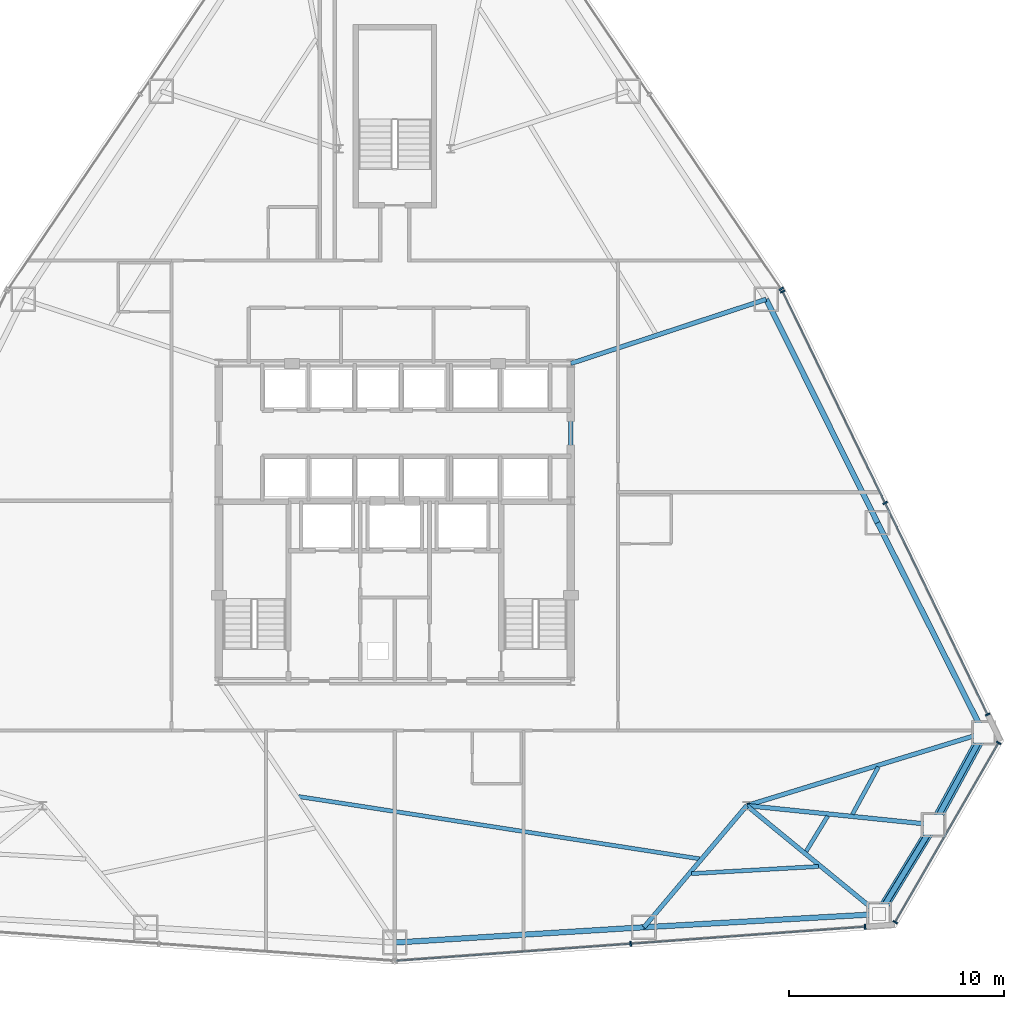
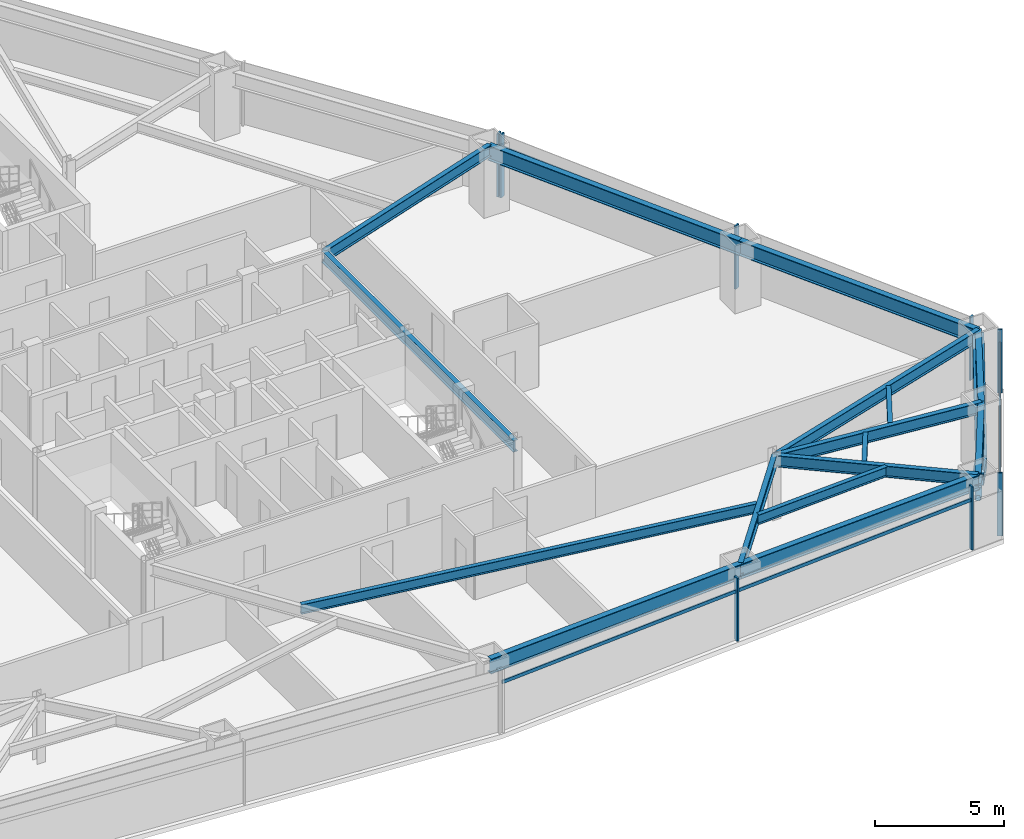
# One storey, part 6 of 12: 16 beams, 14 members, 4 elements without a shape of their own.
"""IFC4 building model written with IfcOpenShell, lengths in metres."""

from ifc_helpers import new_model, si_unit, direction, frame, origin, origin_2d, place, context, subcontext, project, spatial, rectangle, hollow_rectangle, hollow_circle, i_section, extrude, source, transform, mapped, material, layer, layer_set, material_profile, profile_set, type_object, type_shapes, element, aggregate, save


model = new_model("IFC4")

# Units and contexts
model_context = context("Model", 3, precision=1e-05, world=origin(), true_north=direction((0.0, 1.0)))
body_context = subcontext(model_context, "Body", "Model", "MODEL_VIEW")
ifc_project = project(units=[si_unit("LENGTHUNIT", "METRE"), si_unit("AREAUNIT", "SQUARE_METRE"), si_unit("VOLUMEUNIT", "CUBIC_METRE"), si_unit("PLANEANGLEUNIT", "RADIAN"), si_unit("MASSUNIT", "GRAM", prefix="KILO")], contexts=[model_context])

# Site, building, storey
site_placement = place(None, origin())
site = spatial("IfcSite", under=ifc_project, at=site_placement, CompositionType="ELEMENT")
building_placement = place(site_placement, origin())
building = spatial("IfcBuilding", under=site, at=building_placement, Name="Varakhsha Concourse Tower", CompositionType="ELEMENT")
storey_placement = place(building_placement, frame((0.0, 0.0, 56.0)))
storey = spatial("IfcBuildingStorey", under=building, at=storey_placement, Name="L15", CompositionType="ELEMENT", Elevation=56.0)

# Beams
ifc_material_1 = material(Name="Structural Steel ASTM A992 Grade 50", Category="steel")
ifc_material_profile_1 = material_profile(ifc_material_1, i_section(OverallWidth=0.19091796875, OverallDepth=0.45703125, WebThickness=0.009033203125, FlangeThickness=0.013916015625, at=origin_2d()), Name="W18X50")
ifc_profile_set_1 = profile_set([ifc_material_profile_1], Name="Structural Steel ASTM A992 Grade 50")
beam_type_1 = type_object("IfcBeamType", Name="BM-JST-W18X50", PredefinedType="JOIST", material=ifc_profile_set_1)
beam_1_placement = place(storey_placement, frame((35.5166015625, 11.022705078125, 2.75146484375), z_axis=(0.988142278735, -0.153540994446, 0.0), x_axis=(0.153540994446, 0.988142278735, 0.0)))
element("IfcBeam", 1, at=beam_1_placement, inside=storey, type_object=beam_type_1, Name="BM-TJST-L15-11", PredefinedType="JOIST", context=body_context, shape_type="SweptSolid", body=[
    extrude(i_section(OverallWidth=0.19091796875, OverallDepth=0.45703125, WebThickness=0.009033203125, FlangeThickness=0.013916015625, at=origin_2d()), origin(), (0.0, 0.0, 1.0), 18.889892578125),
])
beam_2_placement = place(storey_placement, frame((53.826171875, 7.43115234375, 2.75146484375), z_axis=(0.998430668569, 0.056001786231, 0.0), x_axis=(-0.056001786231, 0.998430668569, 0.0)))
element("IfcBeam", 2, at=beam_2_placement, inside=storey, type_object=beam_type_1, Name="BM-TJST-L15-12", PredefinedType="JOIST", context=body_context, shape_type="SweptSolid", body=[
    extrude(i_section(OverallWidth=0.19091796875, OverallDepth=0.45703125, WebThickness=0.009033203125, FlangeThickness=0.013916015625, at=origin_2d()), origin(), (0.0, 0.0, 1.0), 5.924560546875),
])
beam_3_placement = place(storey_placement, frame((59.1689453125, 8.4697265625, 2.75146484375), z_axis=(0.520803562665, 0.853676548299, 0.0), x_axis=(-0.853676548299, 0.520803562665, 0.0)))
element("IfcBeam", 3, at=beam_3_placement, inside=storey, type_object=beam_type_1, Name="BM-TJST-L15-13", PredefinedType="JOIST", context=body_context, shape_type="SweptSolid", body=[
    extrude(i_section(OverallWidth=0.19091796875, OverallDepth=0.45703125, WebThickness=0.009033203125, FlangeThickness=0.013916015625, at=origin_2d()), origin(), (0.0, 0.0, 1.0), 1.92529296875),
])
beam_4_placement = place(storey_placement, frame((61.325927734375, 10.196533203125, 2.75146484375), z_axis=(0.478940703394, 0.877847254728, 0.0), x_axis=(-0.877847254728, 0.478940703394, 0.0)))
element("IfcBeam", 4, at=beam_4_placement, inside=storey, type_object=beam_type_1, Name="BM-TJST-L15-14", PredefinedType="JOIST", context=body_context, shape_type="SweptSolid", body=[
    extrude(i_section(OverallWidth=0.19091796875, OverallDepth=0.45703125, WebThickness=0.009033203125, FlangeThickness=0.013916015625, at=origin_2d()), origin(), (0.0, 0.0, 1.0), 2.510498046875),
])
ifc_material_profile_2 = material_profile(ifc_material_1, i_section(OverallWidth=0.2109375, OverallDepth=0.5390625, WebThickness=0.011962890625, FlangeThickness=0.01904296875, at=origin_2d()), Name="W21X73")
ifc_profile_set_2 = profile_set([ifc_material_profile_2], Name="Structural Steel ASTM A992 Grade 50")
beam_type_2 = type_object("IfcBeamType", Name="BM-RAD-W21X73", PredefinedType="BEAM", material=ifc_profile_set_2)
beam_5_placement = place(storey_placement, frame((48.199951171875, 16.39990234375, 2.71044921875), z_axis=(0.0, 1.0, 0.0), x_axis=(-1.0, 0.0, 0.0)))
element("IfcBeam", 5, at=beam_5_placement, inside=storey, type_object=beam_type_2, Name="BM-TCORE-L15-CE", PredefinedType="BEAM", context=body_context, shape_type="SweptSolid", body=[
    extrude(i_section(OverallWidth=0.2109375, OverallDepth=0.5390625, WebThickness=0.011962890625, FlangeThickness=0.01904296875, at=origin_2d()), origin(), (0.0, 0.0, 1.0), 14.800048828125),
])
beam_6_placement = place(storey_placement, frame((56.39990234375, 10.60009765625, 2.71044921875), z_axis=(-0.645535260448, -0.763730467848, 0.0), x_axis=(0.763730467848, -0.645535260448, 0.0)))
element("IfcBeam", 6, at=beam_6_placement, inside=storey, type_object=beam_type_2, Name="L15 Radial Floor Girder 12", PredefinedType="BEAM", context=body_context, shape_type="SweptSolid", body=[
    extrude(i_section(OverallWidth=0.2109375, OverallDepth=0.5390625, WebThickness=0.011962890625, FlangeThickness=0.01904296875, at=origin_2d()), origin(), (0.0, 0.0, 1.0), 7.423583984375),
])
beam_7_placement = place(storey_placement, frame((56.39990234375, 10.60009765625, 2.71044921875), z_axis=(0.773178879733, -0.634188000466, 0.0), x_axis=(0.634188000466, 0.773178879733, 0.0)))
element("IfcBeam", 7, at=beam_7_placement, inside=storey, type_object=beam_type_2, Name="L15 Radial Floor Girder 13", PredefinedType="BEAM", context=body_context, shape_type="SweptSolid", body=[
    extrude(i_section(OverallWidth=0.2109375, OverallDepth=0.5390625, WebThickness=0.011962890625, FlangeThickness=0.01904296875, at=origin_2d()), origin(), (0.0, 0.0, 1.0), 7.97119140625),
])
beam_8_placement = place(storey_placement, frame((56.39990234375, 10.60009765625, 2.71044921875), z_axis=(0.994778315071, -0.102059315422, 0.0), x_axis=(0.102059315422, 0.994778315071, 0.0)))
element("IfcBeam", 8, at=beam_8_placement, inside=storey, type_object=beam_type_2, Name="L15 Radial Floor Girder 14", PredefinedType="BEAM", context=body_context, shape_type="SweptSolid", body=[
    extrude(i_section(OverallWidth=0.2109375, OverallDepth=0.5390625, WebThickness=0.011962890625, FlangeThickness=0.01904296875, at=origin_2d()), origin(), (0.0, 0.0, 1.0), 8.748046875),
])
beam_9_placement = place(storey_placement, frame((56.39990234375, 10.60009765625, 2.71044921875), z_axis=(0.955989537432, 0.293400757191, 0.0), x_axis=(-0.293400757191, 0.955989537432, 0.0)))
element("IfcBeam", 9, at=beam_9_placement, inside=storey, type_object=beam_type_2, Name="L15 Radial Floor Girder 15", PredefinedType="BEAM", context=body_context, shape_type="SweptSolid", body=[
    extrude(i_section(OverallWidth=0.2109375, OverallDepth=0.5390625, WebThickness=0.011962890625, FlangeThickness=0.01904296875, at=origin_2d()), origin(), (0.0, 0.0, 1.0), 11.54541015625),
])
beam_10_placement = place(storey_placement, frame((48.199951171875, 31.199951171875, 2.71044921875), z_axis=(0.950042324333, 0.31212110146, 0.0), x_axis=(-0.31212110146, 0.950042324333, 0.0)))
element("IfcBeam", 10, at=beam_10_placement, inside=storey, type_object=beam_type_2, Name="L15 Radial Floor Girder 17", PredefinedType="BEAM", context=body_context, shape_type="SweptSolid", body=[
    extrude(i_section(OverallWidth=0.2109375, OverallDepth=0.5390625, WebThickness=0.011962890625, FlangeThickness=0.01904296875, at=origin_2d()), origin(), (0.0, 0.0, 1.0), 9.584228515625),
])
ifc_material_profile_3 = material_profile(ifc_material_1, i_section(OverallWidth=0.25390625, OverallDepth=0.701904296875, WebThickness=0.014892578125, FlangeThickness=0.028076171875, at=origin_2d()), Name="W27X129")
ifc_profile_set_3 = profile_set([ifc_material_profile_3], Name="Structural Steel ASTM A992 Grade 50")
beam_type_3 = type_object("IfcBeamType", Name="BM-SPAN-W27X129", PredefinedType="SPANDREL", material=ifc_profile_set_3)
beam_11_placement = place(storey_placement, frame((40.0, 4.217529296875, 2.62890625), z_axis=(0.998119386506, 0.061300002284, 0.0), x_axis=(-0.061300002284, 0.998119386506, 0.0)))
element("IfcBeam", 11, at=beam_11_placement, inside=storey, type_object=beam_type_3, Name="BM-SPAN-L15-11", PredefinedType="SPANDREL", context=body_context, shape_type="SweptSolid", body=[
    extrude(i_section(OverallWidth=0.25390625, OverallDepth=0.701904296875, WebThickness=0.014892578125, FlangeThickness=0.028076171875, at=origin_2d()), origin(), (0.0, 0.0, 1.0), 11.629638671875),
])
beam_12_placement = place(storey_placement, frame((51.607666015625, 4.930419921875, 2.62890625), z_axis=(0.998430566592, 0.056003604308, 0.0), x_axis=(-0.056003604308, 0.998430566592, 0.0)))
element("IfcBeam", 12, at=beam_12_placement, inside=storey, type_object=beam_type_3, Name="BM-SPAN-L15-12", PredefinedType="SPANDREL", context=body_context, shape_type="SweptSolid", body=[
    extrude(i_section(OverallWidth=0.25390625, OverallDepth=0.701904296875, WebThickness=0.014892578125, FlangeThickness=0.028076171875, at=origin_2d()), origin(), (0.0, 0.0, 1.0), 10.97265625),
])
for number, where, z_axis, x_axis, name in (
    (13, (62.56298828125, 5.544921875, 2.62890625), (0.520799708694, 0.853678899484, 0.0), (-0.853678899484, 0.520799708694, 0.0), "BM-SPAN-L15-13"),
    (14, (65.102294921875, 9.707275390625, 2.62890625), (0.478894229376, 0.87787260868, 0.0), (-0.87787260868, 0.478894229376, 0.0), "BM-SPAN-L15-14"),
):
    element("IfcBeam", number, at=place(storey_placement, frame(where, z_axis=z_axis, x_axis=x_axis)), inside=storey, type_object=beam_type_3, Name=name, PredefinedType="SPANDREL", context=body_context, shape_type="SweptSolid", body=[
        extrude(i_section(OverallWidth=0.25390625, OverallDepth=0.701904296875, WebThickness=0.014892578125, FlangeThickness=0.028076171875, at=origin_2d()), origin(), (0.0, 0.0, 1.0), 4.875732421875),
    ])
beam_13_placement = place(storey_placement, frame((67.437255859375, 13.987548828125, 2.62890625), z_axis=(-0.450725699101, 0.892662502948, 0.0), x_axis=(-0.892662502948, -0.450725699101, 0.0)))
element("IfcBeam", 15, at=beam_13_placement, inside=storey, type_object=beam_type_3, Name="BM-SPAN-L15-15", PredefinedType="SPANDREL", context=body_context, shape_type="SweptSolid", body=[
    extrude(i_section(OverallWidth=0.25390625, OverallDepth=0.701904296875, WebThickness=0.014892578125, FlangeThickness=0.028076171875, at=origin_2d()), origin(), (0.0, 0.0, 1.0), 10.972412109375),
])
beam_14_placement = place(storey_placement, frame((62.49169921875, 23.7822265625, 2.62890625), z_axis=(-0.445953574097, 0.895056093075, 0.0), x_axis=(-0.895056093075, -0.445953574097, 0.0)))
element("IfcBeam", 16, at=beam_14_placement, inside=storey, type_object=beam_type_3, Name="BM-SPAN-L15-16", PredefinedType="SPANDREL", context=body_context, shape_type="SweptSolid", body=[
    extrude(i_section(OverallWidth=0.25390625, OverallDepth=0.701904296875, WebThickness=0.014892578125, FlangeThickness=0.028076171875, at=origin_2d()), origin(), (0.0, 0.0, 1.0), 11.629638671875),
])

# Members
ifc_material_2 = material(Name="Structural Steel ASTM A500 Grade C", Category="steel")
ifc_material_profile_4 = material_profile(ifc_material_2, hollow_rectangle(XDim=0.449951171875, YDim=0.449951171875, WallThickness=0.01904296875, at=origin_2d()), Name="HSS 450x450x19")
ifc_profile_set_4 = profile_set([ifc_material_profile_4], Name="Structural Steel ASTM A500 Grade C")
member_type_1 = type_object("IfcMemberType", Name="MB-TUBE-HSS450", PredefinedType="BRACE", material=ifc_profile_set_4)
shared_shape_1 = source(origin(), body_context, "Body", "SweptSolid", [
    extrude(hollow_rectangle(XDim=0.449951171875, YDim=0.449951171875, WallThickness=0.01904296875, at=origin_2d()), origin(), (0.0, 0.0, 1.0), 5.5068359375),
])
type_shapes(member_type_1, [shared_shape_1])
for number, where, z_axis, x_axis, name in (
    (17, (65.102294921875, 9.707275390625, 0.1201171875), (-0.461113876099, -0.755843714413, 0.464837899327), (0.853678899484, -0.520799708694, 0.0), "L15 Wind-Corner Tube Brace B05"),
    (18, (65.102294921875, 9.707275390625, 0.1201171875), (0.424010012347, 0.777263021378, 0.464841591327), (-0.87787260868, 0.478894229376, 0.0), "L15 Wind-Corner Tube Brace B06"),
):
    element("IfcMember", number, at=place(storey_placement, frame(where, z_axis=z_axis, x_axis=x_axis)), inside=storey, type_object=member_type_1, Name=name, PredefinedType="BRACE", context=body_context, shape_type="MappedRepresentation", body=[
        mapped(shared_shape_1, transform((0.0, 0.0, 0.0), scale=1.0)),
    ])
ifc_material_profile_5 = material_profile(ifc_material_2, hollow_circle(Radius=0.136474609375, WallThickness=0.011962890625, at=origin_2d()), Name="CHS 273x12")
ifc_profile_set_5 = profile_set([ifc_material_profile_5], Name="Structural Steel ASTM A500 Grade C")
member_type_2 = type_object("IfcMemberType", Name="MB-WIND-CHS273", PredefinedType="COLLAR", material=ifc_profile_set_5)
shared_shape_2 = source(origin(), body_context, "Body", "SweptSolid", [
    extrude(hollow_circle(Radius=0.136474609375, WallThickness=0.011962890625, at=origin_2d()), origin(), (0.0, 0.0, 1.0), 4.875732421875),
])
type_shapes(member_type_2, [shared_shape_2])
member_1_placement = place(storey_placement, frame((62.56298828125, 5.544921875, 1.800048828125), z_axis=(0.520799708694, 0.853678899484, 0.0), x_axis=(-0.853678899484, 0.520799708694, 0.0)))
element("IfcMember", 19, at=member_1_placement, inside=storey, type_object=member_type_2, Name="L15 Wind-Corner Collar Tie 3", PredefinedType="COLLAR", context=body_context, shape_type="MappedRepresentation", body=[
    mapped(shared_shape_2, transform((0.0, 0.0, 0.0), scale=1.0)),
])

# Curtain wall, members
ifc_material_3 = material(Name="Anodised Bronze Architectural Aluminium AA 6063-T6", Category="aluminium")
ifc_layer = layer(ifc_material_3, 0.219970703125, Name="CW-SYS-02")
ifc_layer_set = layer_set([ifc_layer], Name="Anodised Bronze Architectural Aluminium AA 6063-T6")
curtain_wall_type = type_object("IfcCurtainWallType", Name="CW-SYS-02", PredefinedType="NOTDEFINED", material=ifc_layer_set)
curtain_wall_1_placement = place(storey_placement, origin())
curtain_wall_1 = element("IfcCurtainWall", 20, at=curtain_wall_1_placement, inside=storey, type_object=curtain_wall_type, Name="L15 Crystal Curtain Wall F6", PredefinedType="NOTDEFINED")
ifc_material_profile_6 = material_profile(ifc_material_3, rectangle(XDim=0.074951171875, YDim=0.219970703125, at=origin_2d()), Name="CWM-220X75")
ifc_profile_set_6 = profile_set([ifc_material_profile_6], Name="Anodised Bronze Architectural Aluminium AA 6063-T6")
member_type_3 = type_object("IfcMemberType", Name="CWM-220X75", PredefinedType="MULLION", material=ifc_profile_set_6)
shared_shape_3 = source(origin(), body_context, "Body", "SweptSolid", [
    extrude(rectangle(XDim=0.074951171875, YDim=0.219970703125, at=origin_2d()), origin(), (0.0, 0.0, 1.0), 2.97998046875),
])
type_shapes(member_type_3, [shared_shape_3])
member_2_placement = place(storey_placement, frame((61.9150390625, 4.956787109375, 0.0), z_axis=(0.0, 0.0, 1.0), x_axis=(-0.997375609494, -0.072400922553, 0.0)))
member_2 = element("IfcMember", 21, at=member_2_placement, type_object=member_type_3, Name="CW-L15-F6 Mullion 00", PredefinedType="MULLION", context=body_context, shape_type="MappedRepresentation", body=[
    mapped(shared_shape_3, transform((0.0, 0.0, 0.0), scale=1.0)),
])
member_3_placement = place(storey_placement, frame((50.99169921875, 4.163818359375, 0.0), z_axis=(0.0, 0.0, 1.0), x_axis=(-0.997375609494, -0.072400922553, 0.0)))
member_3 = element("IfcMember", 22, at=member_3_placement, type_object=member_type_3, Name="CW-L15-F6 Mullion 01", PredefinedType="MULLION", context=body_context, shape_type="MappedRepresentation", body=[
    mapped(shared_shape_3, transform((0.0, 0.0, 0.0), scale=1.0)),
])

curtain_wall_2_placement = place(storey_placement, origin())
curtain_wall_2 = element("IfcCurtainWall", 23, at=curtain_wall_2_placement, inside=storey, type_object=curtain_wall_type, Name="L15 Chamfer Curtain Wall F7", PredefinedType="NOTDEFINED")
member_4_placement = place(storey_placement, frame((68.13720703125, 13.52392578125, 0.0), z_axis=(0.0, 0.0, 1.0), x_axis=(-0.499992442484, -0.866029767075, 0.0)))
member_4 = element("IfcMember", 24, at=member_4_placement, type_object=member_type_3, Name="CW-L15-F7 Mullion 00", PredefinedType="MULLION", context=body_context, shape_type="MappedRepresentation", body=[
    mapped(shared_shape_3, transform((0.0, 0.0, 0.0), scale=1.0)),
])
member_5_placement = place(storey_placement, frame((63.314208984375, 5.17041015625, 0.0), z_axis=(0.0, 0.0, 1.0), x_axis=(-0.499992442484, -0.866029767075, 0.0)))
member_5 = element("IfcMember", 25, at=member_5_placement, type_object=member_type_3, Name="CW-L15-F7 Mullion 01", PredefinedType="MULLION", context=body_context, shape_type="MappedRepresentation", body=[
    mapped(shared_shape_3, transform((0.0, 0.0, 0.0), scale=1.0)),
])

curtain_wall_3_placement = place(storey_placement, origin())
curtain_wall_3 = element("IfcCurtainWall", 26, at=curtain_wall_3_placement, inside=storey, type_object=curtain_wall_type, Name="L15 Crystal Curtain Wall F8", PredefinedType="NOTDEFINED")
member_6_placement = place(storey_placement, frame((58.07275390625, 34.555419921875, 0.0), z_axis=(0.0, 0.0, 1.0), x_axis=(0.435982054409, -0.899955359022, 0.0)))
member_6 = element("IfcMember", 27, at=member_6_placement, type_object=member_type_3, Name="CW-L15-F8 Mullion 00", PredefinedType="MULLION", context=body_context, shape_type="MappedRepresentation", body=[
    mapped(shared_shape_3, transform((0.0, 0.0, 0.0), scale=1.0)),
])
member_7_placement = place(storey_placement, frame((62.84765625, 24.69921875, 0.0), z_axis=(0.0, 0.0, 1.0), x_axis=(0.435982054409, -0.899955359022, 0.0)))
member_7 = element("IfcMember", 28, at=member_7_placement, type_object=member_type_3, Name="CW-L15-F8 Mullion 01", PredefinedType="MULLION", context=body_context, shape_type="MappedRepresentation", body=[
    mapped(shared_shape_3, transform((0.0, 0.0, 0.0), scale=1.0)),
])
member_8_placement = place(storey_placement, frame((67.62255859375, 14.842529296875, 0.0), z_axis=(0.0, 0.0, 1.0), x_axis=(0.435982054409, -0.899955359022, 0.0)))
member_8 = element("IfcMember", 29, at=member_8_placement, type_object=member_type_3, Name="CW-L15-F8 Mullion 02", PredefinedType="MULLION", context=body_context, shape_type="MappedRepresentation", body=[
    mapped(shared_shape_3, transform((0.0, 0.0, 0.0), scale=1.0)),
])

# Curtain wall, member
curtain_wall_4_placement = place(storey_placement, origin())
curtain_wall_4 = element("IfcCurtainWall", 30, at=curtain_wall_4_placement, inside=storey, type_object=curtain_wall_type, Name="L15 Crystal Curtain Wall F9", PredefinedType="NOTDEFINED")
member_9_placement = place(storey_placement, frame((58.00439453125, 34.673583984375, 0.0), z_axis=(0.0, 0.0, 1.0), x_axis=(0.561391731634, -0.827550194038, 0.0)))
member_9 = element("IfcMember", 31, at=member_9_placement, type_object=member_type_3, Name="CW-L15-F9 Mullion 02", PredefinedType="MULLION", context=body_context, shape_type="MappedRepresentation", body=[
    mapped(shared_shape_3, transform((0.0, 0.0, 0.0), scale=1.0)),
])
aggregate(curtain_wall_4, [member_9])

# Member
ifc_material_profile_7 = material_profile(ifc_material_3, rectangle(XDim=0.06494140625, YDim=0.159912109375, at=origin_2d()), Name="CWT-160X65")
ifc_profile_set_7 = profile_set([ifc_material_profile_7], Name="Anodised Bronze Architectural Aluminium AA 6063-T6")
member_type_4 = type_object("IfcMemberType", Name="CWT-160X65", PredefinedType="USERDEFINED", material=ifc_profile_set_7)
shared_shape_4 = source(origin(), body_context, "Body", "SweptSolid", [
    extrude(rectangle(XDim=0.06494140625, YDim=0.159912109375, at=origin_2d()), origin(), (0.0, 0.0, 1.0), 21.904296875),
])
member_10_placement = place(storey_placement, frame((61.9150390625, 4.956787109375, 2.330078125), z_axis=(-0.997375484087, -0.072402650105, 0.0), x_axis=(0.072402650105, -0.997375484087, 0.0)))
member_10 = element("IfcMember", 32, at=member_10_placement, type_object=member_type_4, Name="CW-L15-F6 Transom 01", ObjectType="TRANSOM", PredefinedType="USERDEFINED", context=body_context, shape_type="MappedRepresentation", body=[
    mapped(shared_shape_4, transform((0.0, 0.0, 0.0), scale=1.0)),
])

aggregate(curtain_wall_1, [member_2, member_3, member_10])

member_11_placement = place(storey_placement, frame((58.07275390625, 34.555419921875, 2.330078125), z_axis=(0.435979233991, -0.899956725364, 0.0), x_axis=(0.899956725364, 0.435979233991, 0.0)))
member_11 = element("IfcMember", 33, at=member_11_placement, type_object=member_type_4, Name="CW-L15-F8 Transom 01", ObjectType="TRANSOM", PredefinedType="USERDEFINED", context=body_context, shape_type="MappedRepresentation", body=[
    mapped(shared_shape_4, transform((0.0, 0.0, 0.0), scale=1.0)),
])

aggregate(curtain_wall_3, [member_6, member_7, member_8, member_11])

shared_shape_5 = source(origin(), body_context, "Body", "SweptSolid", [
    extrude(rectangle(XDim=0.06494140625, YDim=0.159912109375, at=origin_2d()), origin(), (0.0, 0.0, 1.0), 9.645751953125),
])
type_shapes(member_type_4, [shared_shape_4, shared_shape_5])
member_12_placement = place(storey_placement, frame((68.13720703125, 13.52392578125, 2.330078125), z_axis=(-0.500007273995, -0.866021204101, 0.0), x_axis=(0.866021204101, -0.500007273995, 0.0)))
member_12 = element("IfcMember", 34, at=member_12_placement, type_object=member_type_4, Name="CW-L15-F7 Transom 01", ObjectType="TRANSOM", PredefinedType="USERDEFINED", context=body_context, shape_type="MappedRepresentation", body=[
    mapped(shared_shape_5, transform((0.0, 0.0, 0.0), scale=1.0)),
])

aggregate(curtain_wall_2, [member_4, member_5, member_12])

save(model, "model.ifc")
